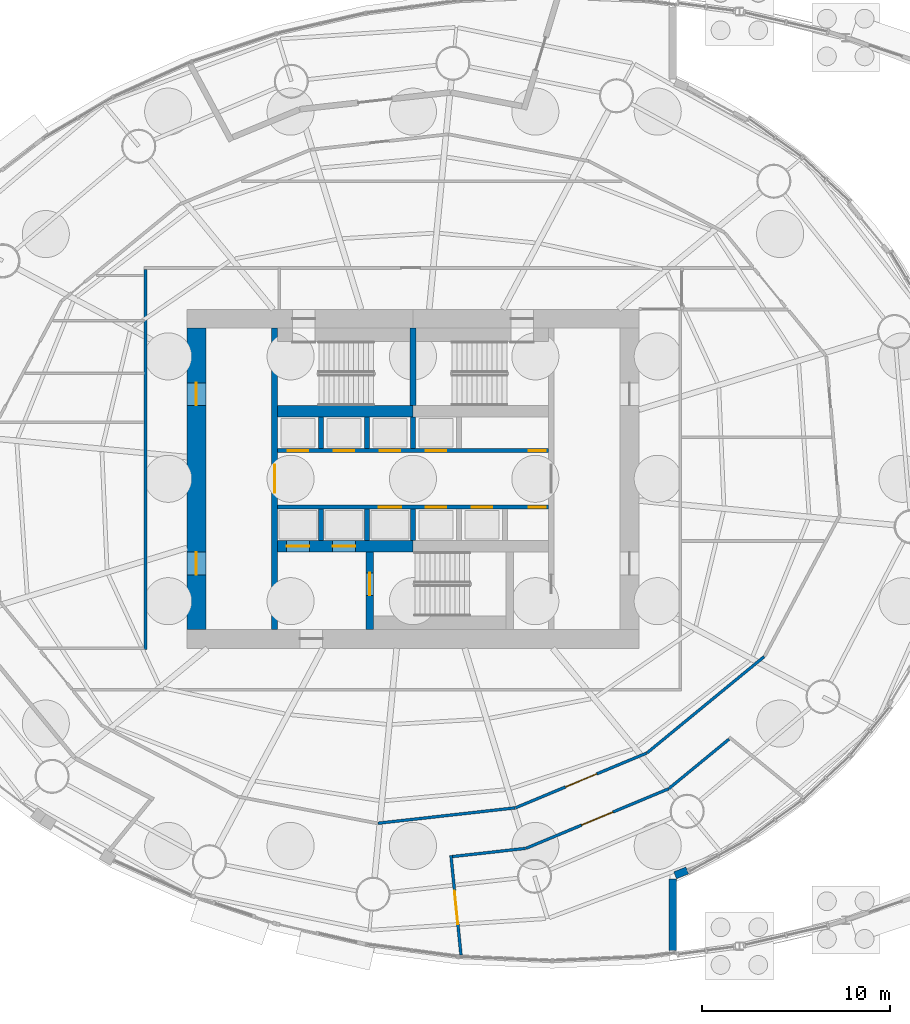
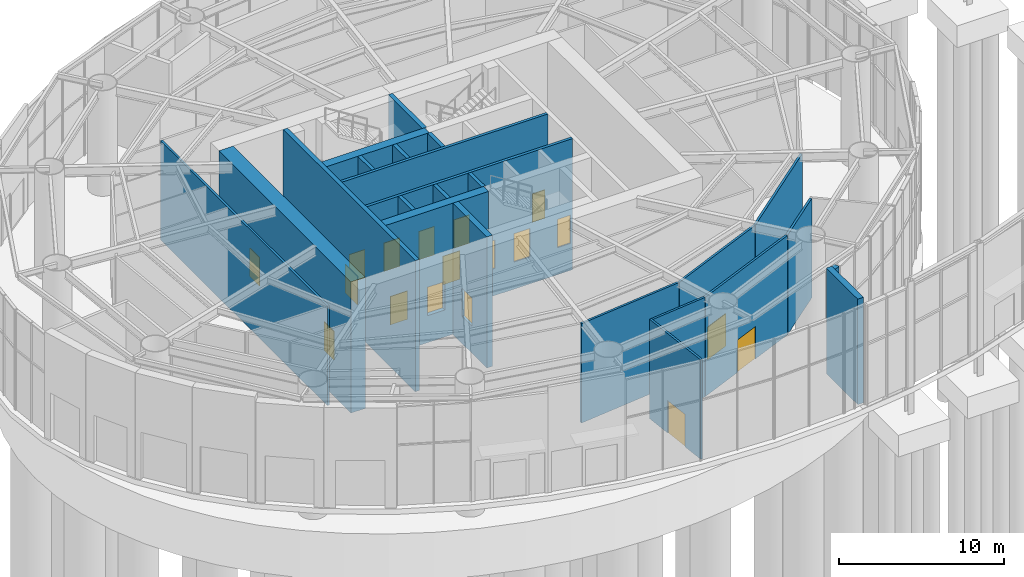
# One storey, part 22 of 27: 24 walls, 18 doors, 18 openings.
"""IFC4 building model written with IfcOpenShell, lengths in metres."""

from ifc_helpers import new_model, si_unit, direction, frame, frame_2d, origin, place, context, subcontext, project, spatial, rectangle, extrude, material, layer, layer_set, type_object, element, fill, save


model = new_model("IFC4")

# Units and contexts
model_context = context("Model", 3, precision=1e-05, world=origin(), true_north=direction((0.0, 1.0)))
body_context = subcontext(model_context, "Body", "Model", "MODEL_VIEW")
ifc_project = project(units=[si_unit("LENGTHUNIT", "METRE"), si_unit("AREAUNIT", "SQUARE_METRE"), si_unit("VOLUMEUNIT", "CUBIC_METRE"), si_unit("PLANEANGLEUNIT", "RADIAN"), si_unit("MASSUNIT", "GRAM", prefix="KILO")], contexts=[model_context])

# Site, building, storey
site_placement = place(None, origin())
site = spatial("IfcSite", under=ifc_project, at=site_placement, CompositionType="ELEMENT")
building_placement = place(site_placement, origin())
building = spatial("IfcBuilding", under=site, at=building_placement, Name="Vermilion Reach Broadcast Tower", CompositionType="ELEMENT")
storey_placement = place(building_placement, origin())
storey = spatial("IfcBuildingStorey", under=building, at=storey_placement, Name="L00", CompositionType="ELEMENT", Elevation=0.0)

# Walls
ifc_material_1 = material(Name="Precast concrete C40/50 with acoustic cladding", Category="concrete")
ifc_layer_1 = layer(ifc_material_1, 0.39990234375)
ifc_layer_set_1 = layer_set([ifc_layer_1], Name="Atrium end wall 400")
wall_type_1 = type_object("IfcWallType", Name="Atrium end wall 400", PredefinedType="SOLIDWALL", material=ifc_layer_set_1)
wall_1_placement = place(storey_placement, frame((7.800048828125, -21.245849609375, 0.0), z_axis=(0.0, 0.0, 1.0), x_axis=(0.0, -1.0, 0.0)))
element("IfcWall", 1, at=wall_1_placement, inside=storey, type_object=wall_type_1, Name="Atrium end wall L00 2", PredefinedType="SOLIDWALL", context=body_context, shape_type="SweptSolid", body=[
    extrude(rectangle(XDim=3.79931640625, YDim=0.39990234375, at=frame_2d((1.899658203125, 0.0))), origin(), (0.0, 0.0, 1.0), 7.800048828125),
])
ifc_material_2 = material(Name="Precast concrete C40/50 with acoustic cladding", Category="concrete")
ifc_layer_2 = layer(ifc_material_2, 0.39990234375)
ifc_layer_set_2 = layer_set([ifc_layer_2], Name="Atrium end wall 400, head 400 below soffit")
wall_type_2 = type_object("IfcWallType", Name="Atrium end wall 400, head 400 below soffit", PredefinedType="SOLIDWALL", material=ifc_layer_set_2)
wall_2_placement = place(storey_placement, frame((8.57080078125, -20.799560546875, 0.0), z_axis=(0.0, 0.0, 1.0), x_axis=(-0.927141159757, -0.374712249444, 0.0)))
element("IfcWall", 2, at=wall_2_placement, inside=storey, type_object=wall_type_2, Name="Podium wall L00 dru17", PredefinedType="SOLIDWALL", context=body_context, shape_type="SweptSolid", body=[
    extrude(rectangle(XDim=0.696533203125, YDim=0.39990234375, at=frame_2d((0.34814453125, 0.0))), origin(), (0.0, 0.0, 1.0), 7.39990234375),
])

# Wall, opening, door
ifc_material_3 = material(Name="Concrete C70", Category="concrete")
ifc_layer_3 = layer(ifc_material_3, 0.300048828125)
ifc_layer_set_3 = layer_set([ifc_layer_3], Name="Core inner wall 300 mm Concrete C70")
wall_type_3 = type_object("IfcWallType", Name="Core inner wall 300 mm Concrete C70", PredefinedType="SHEAR", material=ifc_layer_set_3)
wall_3_placement = place(storey_placement, frame((-13.35009765625, 8.0, -2.0), z_axis=(0.0, 0.0, 1.0), x_axis=(0.0, -1.0, 0.0)))
wall_3 = element("IfcWall", 3, at=wall_3_placement, inside=storey, type_object=wall_type_3, Name="L00 core wall ewW", PredefinedType="SHEAR", context=body_context, shape_type="SweptSolid", body=[
    extrude(rectangle(XDim=16.0, YDim=0.300048828125, at=frame_2d((8.0, 0.0))), origin(), (0.0, 0.0, 1.0), 9.699951171875),
])
opening_1_placement = place(wall_3_placement, frame((7.25, 0.0, 2.0)))
opening_1 = element("IfcOpeningElement", 4, at=opening_1_placement, cuts=wall_3, Name="Opening D04", PredefinedType="OPENING", context=body_context, shape_type="SweptSolid", body=[
    extrude(rectangle(XDim=1.5, YDim=2.10009765625, at=frame_2d((0.75, 1.050048828125))), frame((0.0, 0.159912109375, 0.0), z_axis=(0.0, -1.0, 0.0), x_axis=(1.0, 0.0, 0.0)), (0.0, 0.0, 1.0), 0.320068359375),
])
ifc_material_4 = material(Name="Painted steel fire door", Category="steel")
door_type_1 = type_object("IfcDoorType", Name="Lift lobby door 1500 x 2100", OperationType="DOUBLE_DOOR_SINGLE_SWING", PredefinedType="NOTDEFINED", material=ifc_material_4)
door_1_placement = place(opening_1_placement, origin())
door_1 = element("IfcDoor", 5, at=door_1_placement, inside=storey, type_object=door_type_1, Name="L00 band door BW", OperationType="DOUBLE_DOOR_SINGLE_SWING", OverallHeight=2.10009765625, OverallWidth=1.5, PredefinedType="NOTDEFINED", context=body_context, shape_type="SweptSolid", body=[
    extrude(rectangle(XDim=1.5, YDim=2.10009765625, at=frame_2d((0.75, 1.050048828125))), frame((0.0, 0.02490234375, 0.0), z_axis=(0.0, -1.0, 0.0), x_axis=(1.0, 0.0, 0.0)), (0.0, 0.0, 1.0), 0.050048828125),
])
fill(opening_1, door_1)

# Wall
wall_4_placement = place(storey_placement, frame((-6.0, 3.8798828125, -2.0), z_axis=(0.0, 0.0, 1.0), x_axis=(0.0, 1.0, 0.0)))
element("IfcWall", 6, at=wall_4_placement, inside=storey, type_object=wall_type_3, Name="L00 core wall wc", PredefinedType="SHEAR", context=body_context, shape_type="SweptSolid", body=[
    extrude(rectangle(XDim=4.1201171875, YDim=0.300048828125, at=frame_2d((2.06005859375, 0.0))), origin(), (0.0, 0.0, 1.0), 9.699951171875),
])

# Wall, opening, door
ifc_material_5 = material(Name="Concrete C70", Category="concrete")
ifc_layer_4 = layer(ifc_material_5, 0.39990234375)
ifc_layer_set_4 = layer_set([ifc_layer_4], Name="Core inner wall 400 mm Concrete C70")
wall_type_4 = type_object("IfcWallType", Name="Core inner wall 400 mm Concrete C70", PredefinedType="SHEAR", material=ifc_layer_set_4)
wall_5_placement = place(storey_placement, frame((-8.300048828125, -3.8798828125, -2.0), z_axis=(0.0, 0.0, 1.0), x_axis=(0.0, -1.0, 0.0)))
wall_5 = element("IfcWall", 7, at=wall_5_placement, inside=storey, type_object=wall_type_4, Name="L00 core wall wa", PredefinedType="SHEAR", context=body_context, shape_type="SweptSolid", body=[
    extrude(rectangle(XDim=4.1201171875, YDim=0.39990234375, at=frame_2d((2.06005859375, 0.0))), origin(), (0.0, 0.0, 1.0), 9.699951171875),
])
opening_2_placement = place(wall_5_placement, frame((1.110107421875, 0.0, 2.0)))
opening_2 = element("IfcOpeningElement", 8, at=opening_2_placement, cuts=wall_5, Name="Opening D01", PredefinedType="OPENING", context=body_context, shape_type="SweptSolid", body=[
    extrude(rectangle(XDim=1.199951171875, YDim=2.10009765625, at=frame_2d((0.60009765625, 1.050048828125))), frame((0.0, 0.2099609375, 0.0), z_axis=(0.0, -1.0, 0.0), x_axis=(1.0, 0.0, 0.0)), (0.0, 0.0, 1.0), 0.419921875),
])
ifc_material_6 = material(Name="Painted steel fire door", Category="steel")
door_type_2 = type_object("IfcDoorType", Name="Stair door 1200 x 2100", OperationType="DOUBLE_DOOR_SINGLE_SWING", PredefinedType="NOTDEFINED", material=ifc_material_6)
door_2_placement = place(opening_2_placement, origin())
door_2 = element("IfcDoor", 9, at=door_2_placement, inside=storey, type_object=door_type_2, Name="L00 stair door ST3", OperationType="DOUBLE_DOOR_SINGLE_SWING", OverallHeight=2.10009765625, OverallWidth=1.199951171875, PredefinedType="NOTDEFINED", context=body_context, shape_type="SweptSolid", body=[
    extrude(rectangle(XDim=1.199951171875, YDim=2.10009765625, at=frame_2d((0.60009765625, 1.050048828125))), frame((0.0, 0.02490234375, 0.0), z_axis=(0.0, -1.0, 0.0), x_axis=(1.0, 0.0, 0.0)), (0.0, 0.0, 1.0), 0.050048828125),
])
fill(opening_2, door_2)

# Wall
ifc_material_7 = material(Name="Concrete C70", Category="concrete")
ifc_layer_5 = layer(ifc_material_7, 0.60009765625)
ifc_layer_set_5 = layer_set([ifc_layer_5], Name="Core inner wall 600 mm Concrete C70")
wall_type_5 = type_object("IfcWallType", Name="Core inner wall 600 mm Concrete C70", PredefinedType="SHEAR", material=ifc_layer_set_5)
wall_6_placement = place(storey_placement, frame((-13.199951171875, 3.580078125, -2.0), z_axis=(0.0, 0.0, 1.0), x_axis=(1.0, 0.0, 0.0)))
element("IfcWall", 10, at=wall_6_placement, inside=storey, type_object=wall_type_5, Name="L00 core wall winW", PredefinedType="SHEAR", context=body_context, shape_type="SweptSolid", body=[
    extrude(rectangle(XDim=7.199951171875, YDim=0.60009765625, at=frame_2d((3.60009765625, 0.0))), origin(), (0.0, 0.0, 1.0), 9.699951171875),
])

# Wall, openings, doors
wall_7_placement = place(storey_placement, frame((-13.199951171875, -3.580078125, -2.0), z_axis=(0.0, 0.0, 1.0), x_axis=(1.0, 0.0, 0.0)))
wall_7 = element("IfcWall", 11, at=wall_7_placement, inside=storey, type_object=wall_type_5, Name="L00 core wall wisW", PredefinedType="SHEAR", context=body_context, shape_type="SweptSolid", body=[
    extrude(rectangle(XDim=7.199951171875, YDim=0.60009765625, at=frame_2d((3.60009765625, 0.0))), origin(), (0.0, 0.0, 1.0), 9.699951171875),
])
opening_3_placement = place(wall_7_placement, frame((0.495849609375, 0.0, 2.0)))
opening_3 = element("IfcOpeningElement", 12, at=opening_3_placement, cuts=wall_7, Name="Opening LD1", PredefinedType="OPENING", context=body_context, shape_type="SweptSolid", body=[
    extrude(rectangle(XDim=1.199951171875, YDim=2.10009765625, at=frame_2d((0.60009765625, 1.050048828125))), frame((0.0, 0.31005859375, 0.0), z_axis=(0.0, -1.0, 0.0), x_axis=(1.0, 0.0, 0.0)), (0.0, 0.0, 1.0), 0.6201171875),
])
opening_4_placement = place(wall_7_placement, frame((2.9375, 0.0, 2.0)))
opening_4 = element("IfcOpeningElement", 13, at=opening_4_placement, cuts=wall_7, Name="Opening LD1", PredefinedType="OPENING", context=body_context, shape_type="SweptSolid", body=[
    extrude(rectangle(XDim=1.199951171875, YDim=2.10009765625, at=frame_2d((0.60009765625, 1.050048828125))), frame((0.0, 0.31005859375, 0.0), z_axis=(0.0, -1.0, 0.0), x_axis=(1.0, 0.0, 0.0)), (0.0, 0.0, 1.0), 0.6201171875),
])
ifc_material_8 = material(Name="Stainless steel", Category="steel")
door_type_3 = type_object("IfcDoorType", Name="Landing door 1200 x 2100", OperationType="DOUBLE_DOOR_SLIDING", PredefinedType="NOTDEFINED", material=ifc_material_8)
door_3_placement = place(opening_3_placement, origin())
door_3 = element("IfcDoor", 14, at=door_3_placement, inside=storey, type_object=door_type_3, Name="L00 landing door FF1", OperationType="DOUBLE_DOOR_SLIDING", OverallHeight=2.10009765625, OverallWidth=1.199951171875, PredefinedType="NOTDEFINED", context=body_context, shape_type="SweptSolid", body=[
    extrude(rectangle(XDim=1.199951171875, YDim=2.10009765625, at=frame_2d((0.60009765625, 1.050048828125))), frame((0.0, 0.02490234375, 0.0), z_axis=(0.0, -1.0, 0.0), x_axis=(1.0, 0.0, 0.0)), (0.0, 0.0, 1.0), 0.050048828125),
])
fill(opening_3, door_3)
door_4_placement = place(opening_4_placement, origin())
door_4 = element("IfcDoor", 15, at=door_4_placement, inside=storey, type_object=door_type_3, Name="L00 landing door FF2", OperationType="DOUBLE_DOOR_SLIDING", OverallHeight=2.10009765625, OverallWidth=1.199951171875, PredefinedType="NOTDEFINED", context=body_context, shape_type="SweptSolid", body=[
    extrude(rectangle(XDim=1.199951171875, YDim=2.10009765625, at=frame_2d((0.60009765625, 1.050048828125))), frame((0.0, 0.02490234375, 0.0), z_axis=(0.0, -1.0, 0.0), x_axis=(1.0, 0.0, 0.0)), (0.0, 0.0, 1.0), 0.050048828125),
])
fill(opening_4, door_4)

ifc_material_9 = material(Name="Concrete C70", Category="concrete")
ifc_layer_6 = layer(ifc_material_9, 1.0)
ifc_layer_set_6 = layer_set([ifc_layer_6], Name="Core outer wall 1000 mm Concrete C70")
wall_type_6 = type_object("IfcWallType", Name="Core outer wall 1000 mm Concrete C70", PredefinedType="SHEAR", material=ifc_layer_set_6)
wall_8_placement = place(storey_placement, frame((-17.5, 8.0, -2.0), z_axis=(0.0, 0.0, 1.0), x_axis=(0.0, -1.0, 0.0)))
wall_8 = element("IfcWall", 16, at=wall_8_placement, inside=storey, type_object=wall_type_6, Name="L00 core wall ow", PredefinedType="SHEAR", context=body_context, shape_type="SweptSolid", body=[
    extrude(rectangle(XDim=16.0, YDim=1.0, at=frame_2d((8.0, 0.0))), origin(), (0.0, 0.0, 1.0), 9.699951171875),
])
opening_5_placement = place(wall_8_placement, frame((11.89990234375, 0.0, 2.0)))
opening_5 = element("IfcOpeningElement", 17, at=opening_5_placement, cuts=wall_8, Name="Opening D03", PredefinedType="OPENING", context=body_context, shape_type="SweptSolid", body=[
    extrude(rectangle(XDim=1.199951171875, YDim=2.10009765625, at=frame_2d((0.60009765625, 1.050048828125))), frame((0.0, 0.510009765625, 0.0), z_axis=(0.0, -1.0, 0.0), x_axis=(1.0, 0.0, 0.0)), (0.0, 0.0, 1.0), 1.02001953125),
])
opening_6_placement = place(wall_8_placement, frame((2.89990234375, 0.0, 2.0)))
opening_6 = element("IfcOpeningElement", 18, at=opening_6_placement, cuts=wall_8, Name="Opening D03", PredefinedType="OPENING", context=body_context, shape_type="SweptSolid", body=[
    extrude(rectangle(XDim=1.199951171875, YDim=2.10009765625, at=frame_2d((0.60009765625, 1.050048828125))), frame((0.0, 0.510009765625, 0.0), z_axis=(0.0, -1.0, 0.0), x_axis=(1.0, 0.0, 0.0)), (0.0, 0.0, 1.0), 1.02001953125),
])
ifc_material_10 = material(Name="Painted steel fire door", Category="steel")
door_type_4 = type_object("IfcDoorType", Name="Core lobby door 1200 x 2100", OperationType="DOUBLE_DOOR_SINGLE_SWING", PredefinedType="NOTDEFINED", material=ifc_material_10)
door_5_placement = place(opening_5_placement, origin())
door_5 = element("IfcDoor", 19, at=door_5_placement, inside=storey, type_object=door_type_4, Name="L00 slot door W0", OperationType="DOUBLE_DOOR_SINGLE_SWING", OverallHeight=2.10009765625, OverallWidth=1.199951171875, PredefinedType="NOTDEFINED", context=body_context, shape_type="SweptSolid", body=[
    extrude(rectangle(XDim=1.199951171875, YDim=2.10009765625, at=frame_2d((0.60009765625, 1.050048828125))), frame((0.0, 0.02490234375, 0.0), z_axis=(0.0, -1.0, 0.0), x_axis=(1.0, 0.0, 0.0)), (0.0, 0.0, 1.0), 0.050048828125),
])
fill(opening_5, door_5)
door_6_placement = place(opening_6_placement, origin())
door_6 = element("IfcDoor", 20, at=door_6_placement, inside=storey, type_object=door_type_4, Name="L00 slot door W1", OperationType="DOUBLE_DOOR_SINGLE_SWING", OverallHeight=2.10009765625, OverallWidth=1.199951171875, PredefinedType="NOTDEFINED", context=body_context, shape_type="SweptSolid", body=[
    extrude(rectangle(XDim=1.199951171875, YDim=2.10009765625, at=frame_2d((0.60009765625, 1.050048828125))), frame((0.0, 0.02490234375, 0.0), z_axis=(0.0, -1.0, 0.0), x_axis=(1.0, 0.0, 0.0)), (0.0, 0.0, 1.0), 0.050048828125),
])
fill(opening_6, door_6)

ifc_material_11 = material(Name="Concrete C50", Category="concrete")
ifc_layer_7 = layer(ifc_material_11, 0.199951171875)
ifc_layer_set_7 = layer_set([ifc_layer_7], Name="Core shaft wall 200 mm Concrete C50")
wall_type_7 = type_object("IfcWallType", Name="Core shaft wall 200 mm Concrete C50", PredefinedType="SHEAR", material=ifc_layer_set_7)
wall_9_placement = place(storey_placement, frame((-13.199951171875, 1.5, -2.0), z_axis=(0.0, 0.0, 1.0), x_axis=(1.0, 0.0, 0.0)))
wall_9 = element("IfcWall", 21, at=wall_9_placement, inside=storey, type_object=wall_type_7, Name="L00 core wall fn", PredefinedType="SHEAR", context=body_context, shape_type="SweptSolid", body=[
    extrude(rectangle(XDim=14.39990234375, YDim=0.199951171875, at=frame_2d((7.199951171875, 0.0))), origin(), (0.0, 0.0, 1.0), 9.699951171875),
])
opening_7_placement = place(wall_9_placement, frame((0.5458984375, 0.0, 2.0)))
opening_7 = element("IfcOpeningElement", 22, at=opening_7_placement, cuts=wall_9, Name="Opening LD2", PredefinedType="OPENING", context=body_context, shape_type="SweptSolid", body=[
    extrude(rectangle(XDim=1.10009765625, YDim=2.10009765625, at=frame_2d((0.550048828125, 1.050048828125))), frame((0.0, 0.10986328125, 0.0), z_axis=(0.0, -1.0, 0.0), x_axis=(1.0, 0.0, 0.0)), (0.0, 0.0, 1.0), 0.219970703125),
])
opening_8_placement = place(wall_9_placement, frame((2.987548828125, 0.0, 2.0)))
opening_8 = element("IfcOpeningElement", 23, at=opening_8_placement, cuts=wall_9, Name="Opening LD2", PredefinedType="OPENING", context=body_context, shape_type="SweptSolid", body=[
    extrude(rectangle(XDim=1.10009765625, YDim=2.10009765625, at=frame_2d((0.550048828125, 1.050048828125))), frame((0.0, 0.10986328125, 0.0), z_axis=(0.0, -1.0, 0.0), x_axis=(1.0, 0.0, 0.0)), (0.0, 0.0, 1.0), 0.219970703125),
])
opening_9_placement = place(wall_9_placement, frame((5.42919921875, 0.0, 2.0)))
opening_9 = element("IfcOpeningElement", 24, at=opening_9_placement, cuts=wall_9, Name="Opening LD2", PredefinedType="OPENING", context=body_context, shape_type="SweptSolid", body=[
    extrude(rectangle(XDim=1.10009765625, YDim=2.10009765625, at=frame_2d((0.550048828125, 1.050048828125))), frame((0.0, 0.10986328125, 0.0), z_axis=(0.0, -1.0, 0.0), x_axis=(1.0, 0.0, 0.0)), (0.0, 0.0, 1.0), 0.219970703125),
])
opening_10_placement = place(wall_9_placement, frame((7.870849609375, 0.0, 2.0)))
opening_10 = element("IfcOpeningElement", 25, at=opening_10_placement, cuts=wall_9, Name="Opening LD2", PredefinedType="OPENING", context=body_context, shape_type="SweptSolid", body=[
    extrude(rectangle(XDim=1.10009765625, YDim=2.10009765625, at=frame_2d((0.550048828125, 1.050048828125))), frame((0.0, 0.10986328125, 0.0), z_axis=(0.0, -1.0, 0.0), x_axis=(1.0, 0.0, 0.0)), (0.0, 0.0, 1.0), 0.219970703125),
])
opening_11_placement = place(wall_9_placement, frame((13.35009765625, 0.0, 2.0)))
opening_11 = element("IfcOpeningElement", 26, at=opening_11_placement, cuts=wall_9, Name="Opening D06", PredefinedType="OPENING", context=body_context, shape_type="SweptSolid", body=[
    extrude(rectangle(XDim=0.89990234375, YDim=2.10009765625, at=frame_2d((0.449951171875, 1.050048828125))), frame((0.0, 0.10986328125, 0.0), z_axis=(0.0, -1.0, 0.0), x_axis=(1.0, 0.0, 0.0)), (0.0, 0.0, 1.0), 0.219970703125),
])
ifc_material_12 = material(Name="Stainless steel", Category="steel")
door_type_5 = type_object("IfcDoorType", Name="Landing door 1100 x 2100", OperationType="DOUBLE_DOOR_SLIDING", PredefinedType="NOTDEFINED", material=ifc_material_12)
door_7_placement = place(opening_7_placement, origin())
door_7 = element("IfcDoor", 27, at=door_7_placement, inside=storey, type_object=door_type_5, Name="L00 landing door LR1", OperationType="DOUBLE_DOOR_SLIDING", OverallHeight=2.10009765625, OverallWidth=1.10009765625, PredefinedType="NOTDEFINED", context=body_context, shape_type="SweptSolid", body=[
    extrude(rectangle(XDim=1.10009765625, YDim=2.10009765625, at=frame_2d((0.550048828125, 1.050048828125))), frame((0.0, 0.02490234375, 0.0), z_axis=(0.0, -1.0, 0.0), x_axis=(1.0, 0.0, 0.0)), (0.0, 0.0, 1.0), 0.050048828125),
])
fill(opening_7, door_7)
door_8_placement = place(opening_8_placement, origin())
door_8 = element("IfcDoor", 28, at=door_8_placement, inside=storey, type_object=door_type_5, Name="L00 landing door LR2", OperationType="DOUBLE_DOOR_SLIDING", OverallHeight=2.10009765625, OverallWidth=1.10009765625, PredefinedType="NOTDEFINED", context=body_context, shape_type="SweptSolid", body=[
    extrude(rectangle(XDim=1.10009765625, YDim=2.10009765625, at=frame_2d((0.550048828125, 1.050048828125))), frame((0.0, 0.02490234375, 0.0), z_axis=(0.0, -1.0, 0.0), x_axis=(1.0, 0.0, 0.0)), (0.0, 0.0, 1.0), 0.050048828125),
])
fill(opening_8, door_8)
door_9_placement = place(opening_9_placement, origin())
door_9 = element("IfcDoor", 29, at=door_9_placement, inside=storey, type_object=door_type_5, Name="L00 landing door LR3", OperationType="DOUBLE_DOOR_SLIDING", OverallHeight=2.10009765625, OverallWidth=1.10009765625, PredefinedType="NOTDEFINED", context=body_context, shape_type="SweptSolid", body=[
    extrude(rectangle(XDim=1.10009765625, YDim=2.10009765625, at=frame_2d((0.550048828125, 1.050048828125))), frame((0.0, 0.02490234375, 0.0), z_axis=(0.0, -1.0, 0.0), x_axis=(1.0, 0.0, 0.0)), (0.0, 0.0, 1.0), 0.050048828125),
])
fill(opening_9, door_9)
door_10_placement = place(opening_10_placement, origin())
door_10 = element("IfcDoor", 30, at=door_10_placement, inside=storey, type_object=door_type_5, Name="L00 landing door LR4", OperationType="DOUBLE_DOOR_SLIDING", OverallHeight=2.10009765625, OverallWidth=1.10009765625, PredefinedType="NOTDEFINED", context=body_context, shape_type="SweptSolid", body=[
    extrude(rectangle(XDim=1.10009765625, YDim=2.10009765625, at=frame_2d((0.550048828125, 1.050048828125))), frame((0.0, 0.02490234375, 0.0), z_axis=(0.0, -1.0, 0.0), x_axis=(1.0, 0.0, 0.0)), (0.0, 0.0, 1.0), 0.050048828125),
])
fill(opening_10, door_10)
ifc_material_13 = material(Name="Timber door", Category="wood")
door_type_6 = type_object("IfcDoorType", Name="WC door 900 x 2100", OperationType="NOTDEFINED", PredefinedType="NOTDEFINED", material=ifc_material_13)
door_11_placement = place(opening_11_placement, origin())
door_11 = element("IfcDoor", 31, at=door_11_placement, inside=storey, type_object=door_type_6, Name="L00 door Female WC", OperationType="SINGLE_SWING_RIGHT", OverallHeight=2.10009765625, OverallWidth=0.89990234375, PredefinedType="NOTDEFINED", context=body_context, shape_type="SweptSolid", body=[
    extrude(rectangle(XDim=0.89990234375, YDim=2.10009765625, at=frame_2d((0.449951171875, 1.050048828125))), frame((0.0, 0.02490234375, 0.0), z_axis=(0.0, -1.0, 0.0), x_axis=(1.0, 0.0, 0.0)), (0.0, 0.0, 1.0), 0.050048828125),
])
fill(opening_11, door_11)

wall_10_placement = place(storey_placement, frame((1.199951171875, -1.5, -2.0), z_axis=(0.0, 0.0, 1.0), x_axis=(-1.0, 0.0, 0.0)))
wall_10 = element("IfcWall", 32, at=wall_10_placement, inside=storey, type_object=wall_type_7, Name="L00 core wall fs", PredefinedType="SHEAR", context=body_context, shape_type="SweptSolid", body=[
    extrude(rectangle(XDim=14.39990234375, YDim=0.199951171875, at=frame_2d((7.199951171875, 0.0))), origin(), (0.0, 0.0, 1.0), 9.699951171875),
])
opening_12_placement = place(wall_10_placement, frame((7.82080078125, 0.0, 2.0)))
opening_12 = element("IfcOpeningElement", 33, at=opening_12_placement, cuts=wall_10, Name="Opening LD1", PredefinedType="OPENING", context=body_context, shape_type="SweptSolid", body=[
    extrude(rectangle(XDim=1.199951171875, YDim=2.10009765625, at=frame_2d((0.60009765625, 1.050048828125))), frame((0.0, 0.10986328125, 0.0), z_axis=(0.0, -1.0, 0.0), x_axis=(1.0, 0.0, 0.0)), (0.0, 0.0, 1.0), 0.219970703125),
])
opening_13_placement = place(wall_10_placement, frame((5.42919921875, 0.0, 2.0)))
opening_13 = element("IfcOpeningElement", 34, at=opening_13_placement, cuts=wall_10, Name="Opening LD2", PredefinedType="OPENING", context=body_context, shape_type="SweptSolid", body=[
    extrude(rectangle(XDim=1.10009765625, YDim=2.10009765625, at=frame_2d((0.550048828125, 1.050048828125))), frame((0.0, 0.10986328125, 0.0), z_axis=(0.0, -1.0, 0.0), x_axis=(1.0, 0.0, 0.0)), (0.0, 0.0, 1.0), 0.219970703125),
])
opening_14_placement = place(wall_10_placement, frame((2.987548828125, 0.0, 2.0)))
opening_14 = element("IfcOpeningElement", 35, at=opening_14_placement, cuts=wall_10, Name="Opening LD2", PredefinedType="OPENING", context=body_context, shape_type="SweptSolid", body=[
    extrude(rectangle(XDim=1.10009765625, YDim=2.10009765625, at=frame_2d((0.550048828125, 1.050048828125))), frame((0.0, 0.10986328125, 0.0), z_axis=(0.0, -1.0, 0.0), x_axis=(1.0, 0.0, 0.0)), (0.0, 0.0, 1.0), 0.219970703125),
])
opening_15_placement = place(wall_10_placement, frame((0.14990234375, 0.0, 2.0)))
opening_15 = element("IfcOpeningElement", 36, at=opening_15_placement, cuts=wall_10, Name="Opening D06", PredefinedType="OPENING", context=body_context, shape_type="SweptSolid", body=[
    extrude(rectangle(XDim=0.89990234375, YDim=2.10009765625, at=frame_2d((0.449951171875, 1.050048828125))), frame((0.0, 0.10986328125, 0.0), z_axis=(0.0, -1.0, 0.0), x_axis=(1.0, 0.0, 0.0)), (0.0, 0.0, 1.0), 0.219970703125),
])
door_12_placement = place(opening_13_placement, origin())
door_12 = element("IfcDoor", 37, at=door_12_placement, inside=storey, type_object=door_type_5, Name="L00 landing door SH1", OperationType="DOUBLE_DOOR_SLIDING", OverallHeight=2.10009765625, OverallWidth=1.10009765625, PredefinedType="NOTDEFINED", context=body_context, shape_type="SweptSolid", body=[
    extrude(rectangle(XDim=1.10009765625, YDim=2.10009765625, at=frame_2d((0.550048828125, 1.050048828125))), frame((0.0, 0.02490234375, 0.0), z_axis=(0.0, -1.0, 0.0), x_axis=(1.0, 0.0, 0.0)), (0.0, 0.0, 1.0), 0.050048828125),
])
fill(opening_13, door_12)
door_13_placement = place(opening_14_placement, origin())
door_13 = element("IfcDoor", 38, at=door_13_placement, inside=storey, type_object=door_type_5, Name="L00 landing door SH2", OperationType="DOUBLE_DOOR_SLIDING", OverallHeight=2.10009765625, OverallWidth=1.10009765625, PredefinedType="NOTDEFINED", context=body_context, shape_type="SweptSolid", body=[
    extrude(rectangle(XDim=1.10009765625, YDim=2.10009765625, at=frame_2d((0.550048828125, 1.050048828125))), frame((0.0, 0.02490234375, 0.0), z_axis=(0.0, -1.0, 0.0), x_axis=(1.0, 0.0, 0.0)), (0.0, 0.0, 1.0), 0.050048828125),
])
fill(opening_14, door_13)
door_14_placement = place(opening_12_placement, origin())
door_14 = element("IfcDoor", 39, at=door_14_placement, inside=storey, type_object=door_type_3, Name="L00 landing door SV1", OperationType="DOUBLE_DOOR_SLIDING", OverallHeight=2.10009765625, OverallWidth=1.199951171875, PredefinedType="NOTDEFINED", context=body_context, shape_type="SweptSolid", body=[
    extrude(rectangle(XDim=1.199951171875, YDim=2.10009765625, at=frame_2d((0.60009765625, 1.050048828125))), frame((0.0, 0.02490234375, 0.0), z_axis=(0.0, -1.0, 0.0), x_axis=(1.0, 0.0, 0.0)), (0.0, 0.0, 1.0), 0.050048828125),
])
fill(opening_12, door_14)
door_15_placement = place(opening_15_placement, origin())
door_15 = element("IfcDoor", 40, at=door_15_placement, inside=storey, type_object=door_type_6, Name="L00 door Male WC", OperationType="SINGLE_SWING_LEFT", OverallHeight=2.10009765625, OverallWidth=0.89990234375, PredefinedType="NOTDEFINED", context=body_context, shape_type="SweptSolid", body=[
    extrude(rectangle(XDim=0.89990234375, YDim=2.10009765625, at=frame_2d((0.449951171875, 1.050048828125))), frame((0.0, 0.02490234375, 0.0), z_axis=(0.0, -1.0, 0.0), x_axis=(1.0, 0.0, 0.0)), (0.0, 0.0, 1.0), 0.050048828125),
])
fill(opening_15, door_15)

# Walls
ifc_material_14 = material(Name="Concrete C50", Category="concrete")
ifc_layer_8 = layer(ifc_material_14, 0.25)
ifc_layer_set_8 = layer_set([ifc_layer_8], Name="Core shaft wall 250 mm Concrete C50")
wall_type_8 = type_object("IfcWallType", Name="Core shaft wall 250 mm Concrete C50", PredefinedType="SHEAR", material=ifc_layer_set_8)
for number, where, z_axis, x_axis, name in (
    (41, (-10.88330078125, 1.60009765625, -2.0), (0.0, 0.0, 1.0), (0.0, 1.0, 0.0), "L00 core wall psN0"),
    (42, (-8.441650390625, 1.60009765625, -2.0), (0.0, 0.0, 1.0), (0.0, 1.0, 0.0), "L00 core wall psN1"),
    (43, (-6.0, 1.60009765625, -2.0), (0.0, 0.0, 1.0), (0.0, 1.0, 0.0), "L00 core wall psN2"),
    (44, (-10.88330078125, -1.60009765625, -2.0), (0.0, 0.0, 1.0), (0.0, -1.0, 0.0), "L00 core wall psS0"),
    (45, (-8.441650390625, -1.60009765625, -2.0), (0.0, 0.0, 1.0), (0.0, -1.0, 0.0), "L00 core wall psS1"),
    (46, (-6.0, -1.60009765625, -2.0), (0.0, 0.0, 1.0), (0.0, -1.0, 0.0), "L00 core wall psS2"),
):
    element("IfcWall", number, at=place(storey_placement, frame(where, z_axis=z_axis, x_axis=x_axis)), inside=storey, type_object=wall_type_8, Name=name, PredefinedType="SHEAR", context=body_context, shape_type="SweptSolid", body=[
        extrude(rectangle(XDim=1.679931640625, YDim=0.25, at=frame_2d((0.83984375, 0.0))), origin(), (0.0, 0.0, 1.0), 9.699951171875),
    ])
ifc_material_15 = material(Name="Gypsum board partition")
ifc_layer_9 = layer(ifc_material_15, 0.14990234375)
ifc_layer_set_9 = layer_set([ifc_layer_9], Name="Corridor wall 150")
wall_type_9 = type_object("IfcWallType", Name="Corridor wall 150", PredefinedType="PARTITIONING", material=ifc_layer_set_9)
wall_11_placement = place(storey_placement, frame((-20.199951171875, -9.0751953125, 0.0), z_axis=(0.0, 0.0, 1.0), x_axis=(0.0, 1.0, 0.0)))
element("IfcWall", 47, at=wall_11_placement, inside=storey, type_object=wall_type_9, Name="sp.wall.L00.000", PredefinedType="PARTITIONING", context=body_context, shape_type="SweptSolid", body=[
    extrude(rectangle(XDim=20.2001953125, YDim=0.14990234375, at=frame_2d((10.10009765625, 0.0))), origin(), (0.0, 0.0, 1.0), 7.35009765625),
])

# Wall, opening, door
wall_12_placement = place(storey_placement, frame((-0.553466796875, -17.474609375, 0.0), z_axis=(0.0, 0.0, 1.0), x_axis=(0.922821127206, 0.38522872061, 0.0)))
wall_12 = element("IfcWall", 48, at=wall_12_placement, inside=storey, type_object=wall_type_9, Name="sp.wall.L00.023", PredefinedType="PARTITIONING", context=body_context, shape_type="SweptSolid", body=[
    extrude(rectangle(XDim=7.54541015625, YDim=0.14990234375, at=frame_2d((3.772705078125, 0.0))), origin(), (0.0, 0.0, 1.0), 7.35009765625),
])
opening_16_placement = place(wall_12_placement, frame((2.872802734375, 0.0, 0.0)))
opening_16 = element("IfcOpeningElement", 49, at=opening_16_placement, cuts=wall_12, Name="Opening D55", PredefinedType="OPENING", context=body_context, shape_type="SweptSolid", body=[
    extrude(rectangle(XDim=1.800048828125, YDim=2.39990234375, at=frame_2d((0.89990234375, 1.199951171875))), frame((0.0, 0.0849609375, 0.0), z_axis=(0.0, -1.0, 0.0), x_axis=(1.0, 0.0, 0.0)), (0.0, 0.0, 1.0), 0.169921875),
])
ifc_material_16 = material(Name="Timber and steel door set", Category="steel")
door_type_7 = type_object("IfcDoorType", Name="Hall double door 1800x2400", OperationType="NOTDEFINED", PredefinedType="DOOR", material=ifc_material_16)
door_16_placement = place(opening_16_placement, origin())
door_16 = element("IfcDoor", 50, at=door_16_placement, inside=storey, type_object=door_type_7, Name="sp.door.L00.006", OperationType="DOUBLE_DOOR_SINGLE_SWING", OverallHeight=2.39990234375, OverallWidth=1.800048828125, PredefinedType="DOOR", context=body_context, shape_type="SweptSolid", body=[
    extrude(rectangle(XDim=1.800048828125, YDim=2.39990234375, at=frame_2d((0.89990234375, 1.199951171875))), frame((0.0, 0.02490234375, 0.0), z_axis=(0.0, -1.0, 0.0), x_axis=(1.0, 0.0, 0.0)), (0.0, 0.0, 1.0), 0.050048828125),
])
fill(opening_16, door_16)

# Walls
wall_13_placement = place(storey_placement, frame((-7.86328125, -18.294921875, 0.0), z_axis=(0.0, 0.0, 1.0), x_axis=(0.993762158865, 0.111520274427, 0.0)))
element("IfcWall", 51, at=wall_13_placement, inside=storey, type_object=wall_type_9, Name="sp.wall.L00.024", PredefinedType="PARTITIONING", context=body_context, shape_type="SweptSolid", body=[
    extrude(rectangle(XDim=7.333740234375, YDim=0.14990234375, at=frame_2d((3.6669921875, 0.0))), origin(), (0.0, 0.0, 1.0), 7.35009765625),
])
wall_14_placement = place(storey_placement, frame((6.4306640625, -14.55908203125, 0.0), z_axis=(0.0, 0.0, 1.0), x_axis=(0.772569565922, 0.634930126716, 0.0)))
element("IfcWall", 52, at=wall_14_placement, inside=storey, type_object=wall_type_9, Name="sp.wall.L00.028", PredefinedType="PARTITIONING", context=body_context, shape_type="SweptSolid", body=[
    extrude(rectangle(XDim=8.052978515625, YDim=0.14990234375, at=frame_2d((4.0263671875, 0.0))), origin(), (0.0, 0.0, 1.0), 7.35009765625),
])

# Wall, opening, door
wall_15_placement = place(storey_placement, frame((-3.449462890625, -25.285888671875, 0.0), z_axis=(0.0, 0.0, 1.0), x_axis=(-0.100367803788, 0.994950402765, 0.0)))
wall_15 = element("IfcWall", 53, at=wall_15_placement, inside=storey, type_object=wall_type_9, Name="sp.wall.L00.041", PredefinedType="PARTITIONING", context=body_context, shape_type="SweptSolid", body=[
    extrude(rectangle(XDim=5.31494140625, YDim=0.14990234375, at=frame_2d((2.657470703125, 0.0))), origin(), (0.0, 0.0, 1.0), 7.35009765625),
])
opening_17_placement = place(wall_15_placement, frame((1.6298828125, 0.0, 0.0)))
opening_17 = element("IfcOpeningElement", 54, at=opening_17_placement, cuts=wall_15, Name="Opening D55", PredefinedType="OPENING", context=body_context, shape_type="SweptSolid", body=[
    extrude(rectangle(XDim=1.800048828125, YDim=2.39990234375, at=frame_2d((0.89990234375, 1.199951171875))), frame((0.0, 0.0849609375, 0.0), z_axis=(0.0, -1.0, 0.0), x_axis=(1.0, 0.0, 0.0)), (0.0, 0.0, 1.0), 0.169921875),
])
door_17_placement = place(opening_17_placement, origin())
door_17 = element("IfcDoor", 55, at=door_17_placement, inside=storey, type_object=door_type_7, Name="sp.door.L00.013", OperationType="DOUBLE_DOOR_SINGLE_SWING", OverallHeight=2.39990234375, OverallWidth=1.800048828125, PredefinedType="DOOR", context=body_context, shape_type="SweptSolid", body=[
    extrude(rectangle(XDim=1.800048828125, YDim=2.39990234375, at=frame_2d((0.89990234375, 1.199951171875))), frame((0.0, 0.02490234375, 0.0), z_axis=(0.0, -1.0, 0.0), x_axis=(1.0, 0.0, 0.0)), (0.0, 0.0, 1.0), 0.050048828125),
])
fill(opening_17, door_17)

# Wall
wall_16_placement = place(storey_placement, frame((-3.89990234375, -20.06396484375, 0.0), z_axis=(0.0, 0.0, 1.0), x_axis=(0.993765031385, 0.111494674297, 0.0)))
element("IfcWall", 56, at=wall_16_placement, inside=storey, type_object=wall_type_9, Name="sp.wall.L00.042", PredefinedType="PARTITIONING", context=body_context, shape_type="SweptSolid", body=[
    extrude(rectangle(XDim=3.906494140625, YDim=0.14990234375, at=frame_2d((1.953125, 0.0))), origin(), (0.0, 0.0, 1.0), 7.35009765625),
])

# Wall, opening, door
wall_17_placement = place(storey_placement, frame((0.00390625, -19.6259765625, 0.0), z_axis=(0.0, 0.0, 1.0), x_axis=(0.922823237456, 0.385223665436, 0.0)))
wall_17 = element("IfcWall", 57, at=wall_17_placement, inside=storey, type_object=wall_type_9, Name="sp.wall.L00.043", PredefinedType="PARTITIONING", context=body_context, shape_type="SweptSolid", body=[
    extrude(rectangle(XDim=8.20654296875, YDim=0.14990234375, at=frame_2d((4.103271484375, 0.0))), origin(), (0.0, 0.0, 1.0), 7.35009765625),
])
opening_18_placement = place(wall_17_placement, frame((3.203369140625, 0.0, 0.0)))
opening_18 = element("IfcOpeningElement", 58, at=opening_18_placement, cuts=wall_17, Name="Opening D55", PredefinedType="OPENING", context=body_context, shape_type="SweptSolid", body=[
    extrude(rectangle(XDim=1.800048828125, YDim=2.39990234375, at=frame_2d((0.89990234375, 1.199951171875))), frame((0.0, 0.0849609375, 0.0), z_axis=(0.0, -1.0, 0.0), x_axis=(1.0, 0.0, 0.0)), (0.0, 0.0, 1.0), 0.169921875),
])
door_18_placement = place(opening_18_placement, origin())
door_18 = element("IfcDoor", 59, at=door_18_placement, inside=storey, type_object=door_type_7, Name="sp.door.L00.012", OperationType="DOUBLE_DOOR_SINGLE_SWING", OverallHeight=2.39990234375, OverallWidth=1.800048828125, PredefinedType="DOOR", context=body_context, shape_type="SweptSolid", body=[
    extrude(rectangle(XDim=1.800048828125, YDim=2.39990234375, at=frame_2d((0.89990234375, 1.199951171875))), frame((0.0, 0.02490234375, 0.0), z_axis=(0.0, -1.0, 0.0), x_axis=(1.0, 0.0, 0.0)), (0.0, 0.0, 1.0), 0.050048828125),
])
fill(opening_18, door_18)

# Wall
wall_18_placement = place(storey_placement, frame((7.594482421875, -16.4501953125, 0.0), z_axis=(0.0, 0.0, 1.0), x_axis=(0.772605153206, 0.634886822386, 0.0)))
element("IfcWall", 60, at=wall_18_placement, inside=storey, type_object=wall_type_9, Name="sp.wall.L00.044", PredefinedType="PARTITIONING", context=body_context, shape_type="SweptSolid", body=[
    extrude(rectangle(XDim=4.13232421875, YDim=0.14990234375, at=frame_2d((2.066162109375, 0.0))), origin(), (0.0, 0.0, 1.0), 7.35009765625),
])

save(model, "model.ifc")
